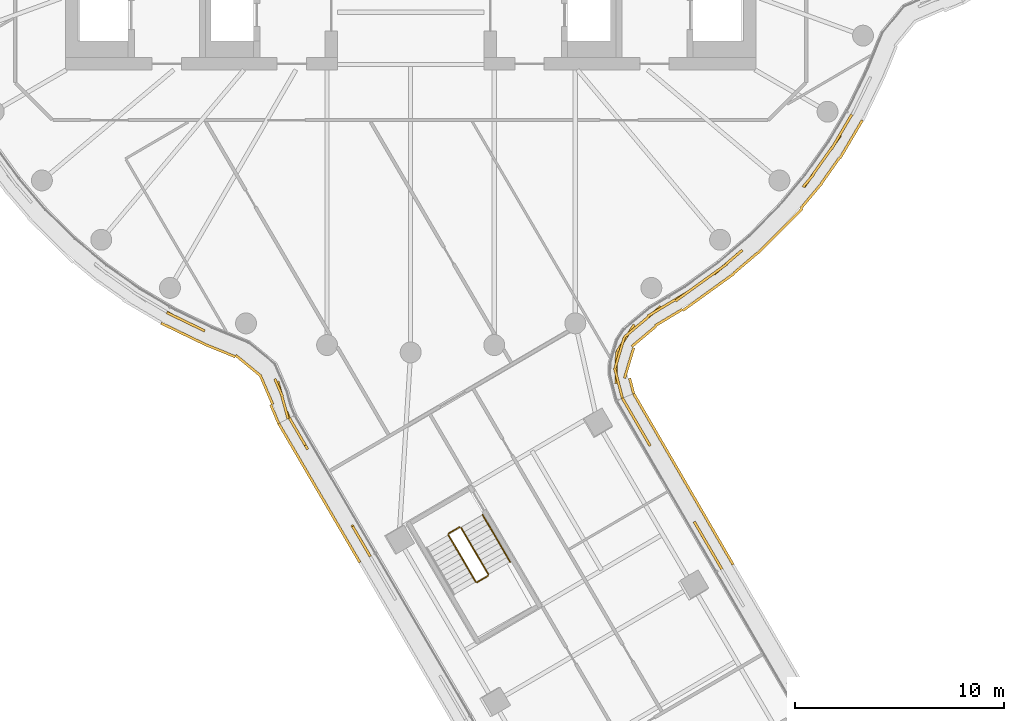
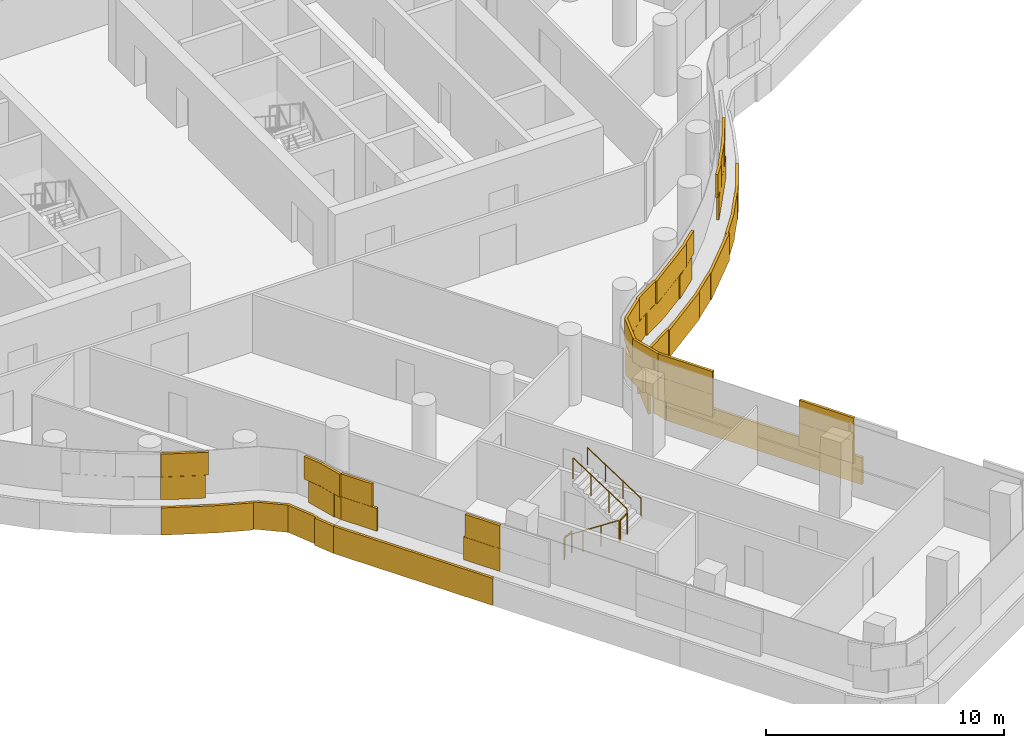
# One storey, part 28 of 35: 5 railings, 4 coverings.
"""IFC4 building model written with IfcOpenShell, lengths in metres."""

from ifc_helpers import new_model, si_unit, direction, frame, origin, origin_2d, place, context, subcontext, project, spatial, rectangle, circle, extrude, material, layer, layer_set, type_object, element, save


model = new_model("IFC4")

# Units and contexts
model_context = context("Model", 3, precision=1e-05, world=origin(), true_north=direction((0.0, 1.0)))
body_context = subcontext(model_context, "Body", "Model", "MODEL_VIEW")
ifc_project = project(units=[si_unit("LENGTHUNIT", "METRE"), si_unit("AREAUNIT", "SQUARE_METRE"), si_unit("VOLUMEUNIT", "CUBIC_METRE"), si_unit("PLANEANGLEUNIT", "RADIAN"), si_unit("MASSUNIT", "GRAM", prefix="KILO")], contexts=[model_context])

# Site, building, storey
site_placement = place(None, origin())
site = spatial("IfcSite", under=ifc_project, at=site_placement, CompositionType="ELEMENT")
building_placement = place(site_placement, origin())
building = spatial("IfcBuilding", under=site, at=building_placement, Name="Tamarind Cross Interchange Tower", CompositionType="ELEMENT")
storey_placement = place(building_placement, frame((0.0, 0.0, 144.25)))
storey = spatial("IfcBuildingStorey", under=building, at=storey_placement, Name="L35", CompositionType="ELEMENT", Elevation=144.25)

# Railings
ifc_material_1 = material(Name="Stair guard")
railing_type_1 = type_object("IfcRailingType", Name="Stair guard", PredefinedType="GUARDRAIL", material=ifc_material_1)
railing_1_placement = place(storey_placement, frame((1.799560546875, -31.7197265625, 0.17041015625)))
element("IfcRailing", 1, at=railing_1_placement, inside=storey, type_object=railing_type_1, Name="L35 ST6 stair guard 1", PredefinedType="GUARDRAIL", context=body_context, shape_type="SweptSolid", body=[
    extrude(circle(Radius=0.02392578125, at=origin_2d()), frame((0.0, 0.0, 1.076171875), z_axis=(0.421927310507, -0.722058741879, 0.548277774421), x_axis=(0.863400629479, 0.504518932267, 0.0)), (0.0, 0.0, 1.0), 3.10888671875),
    extrude(circle(Radius=0.02099609375, at=origin_2d()), origin(), (0.0, 0.0, 1.0), 1.052001953125),
    extrude(circle(Radius=0.02099609375, at=origin_2d()), frame((0.437255859375, -0.748291015625, 0.568115234375)), (0.0, 0.0, 1.0), 1.052001953125),
    extrude(circle(Radius=0.02099609375, at=origin_2d()), frame((0.87451171875, -1.49658203125, 1.136474609375)), (0.0, 0.0, 1.0), 1.052001953125),
    extrude(circle(Radius=0.02099609375, at=origin_2d()), frame((1.311767578125, -2.244873046875, 1.70458984375)), (0.0, 0.0, 1.0), 1.052001953125),
])
railing_2_placement = place(storey_placement, frame((3.1796875, -33.982666015625, 1.875)))
element("IfcRailing", 2, at=railing_2_placement, inside=storey, type_object=railing_type_1, Name="L35 ST6 stair guard 2", PredefinedType="GUARDRAIL", context=body_context, shape_type="SweptSolid", body=[
    extrude(circle(Radius=0.02392578125, at=origin_2d()), frame((0.0, 0.0, 1.076171875), z_axis=(0.863394962472, 0.504528630285, 0.0), x_axis=(-0.504528630285, 0.863394962472, 0.0)), (0.0, 0.0, 1.0), 0.60009765625),
    extrude(circle(Radius=0.02099609375, at=origin_2d()), origin(), (0.0, 0.0, 1.0), 1.052001953125),
    extrude(circle(Radius=0.02099609375, at=origin_2d()), frame((0.51806640625, 0.302734375, 0.0)), (0.0, 0.0, 1.0), 1.052001953125),
])
railing_3_placement = place(storey_placement, frame((3.7158203125, -33.611572265625, 2.04541015625)))
element("IfcRailing", 3, at=railing_3_placement, inside=storey, type_object=railing_type_1, Name="L35 ST6 stair guard 3", PredefinedType="GUARDRAIL", context=body_context, shape_type="SweptSolid", body=[
    extrude(circle(Radius=0.02392578125, at=origin_2d()), frame((0.0, 0.0, 1.076171875), z_axis=(-0.421927310507, 0.722058741879, 0.548277774421), x_axis=(-0.863400629479, -0.504518932267, 0.0)), (0.0, 0.0, 1.0), 3.10888671875),
    extrude(circle(Radius=0.02099609375, at=origin_2d()), origin(), (0.0, 0.0, 1.0), 1.052001953125),
    extrude(circle(Radius=0.02099609375, at=origin_2d()), frame((-0.437255859375, 0.748291015625, 0.568115234375)), (0.0, 0.0, 1.0), 1.052001953125),
    extrude(circle(Radius=0.02099609375, at=origin_2d()), frame((-0.87451171875, 1.49658203125, 1.136474609375)), (0.0, 0.0, 1.0), 1.052001953125),
    extrude(circle(Radius=0.02099609375, at=origin_2d()), frame((-1.311767578125, 2.244873046875, 1.70458984375)), (0.0, 0.0, 1.0), 1.052001953125),
])
railing_4_placement = place(storey_placement, frame((1.817626953125, -31.6513671875, 0.0)))
element("IfcRailing", 4, at=railing_4_placement, inside=storey, type_object=railing_type_1, Name="L35 ST6 stair guard 4", PredefinedType="GUARDRAIL", context=body_context, shape_type="SweptSolid", body=[
    extrude(circle(Radius=0.02392578125, at=origin_2d()), frame((0.0, 0.0, 1.076171875), z_axis=(0.863394962472, 0.504528630285, 0.0), x_axis=(-0.504528630285, 0.863394962472, 0.0)), (0.0, 0.0, 1.0), 0.60009765625),
    extrude(circle(Radius=0.02099609375, at=origin_2d()), origin(), (0.0, 0.0, 1.0), 1.052001953125),
    extrude(circle(Radius=0.02099609375, at=origin_2d()), frame((0.51806640625, 0.302734375, 0.0)), (0.0, 0.0, 1.0), 1.052001953125),
])
ifc_material_2 = material(Name="Stair handrail")
railing_type_2 = type_object("IfcRailingType", Name="Stair handrail", PredefinedType="HANDRAIL", material=ifc_material_2)
railing_5_placement = place(storey_placement, frame((4.751708984375, -33.006103515625, 2.04541015625)))
element("IfcRailing", 5, at=railing_5_placement, inside=storey, type_object=railing_type_2, Name="L35 ST6 stair handrail 2", PredefinedType="HANDRAIL", context=body_context, shape_type="SweptSolid", body=[
    extrude(circle(Radius=0.02392578125, at=origin_2d()), frame((0.0, 0.0, 0.8759765625), z_axis=(-0.421927310507, 0.722058741879, 0.548277774421), x_axis=(-0.863400629479, -0.504518932267, 0.0)), (0.0, 0.0, 1.0), 3.10888671875),
    extrude(circle(Radius=0.02099609375, at=origin_2d()), origin(), (0.0, 0.0, 1.0), 0.851806640625),
    extrude(circle(Radius=0.02099609375, at=origin_2d()), frame((-0.437255859375, 0.748291015625, 0.568115234375)), (0.0, 0.0, 1.0), 0.851806640625),
    extrude(circle(Radius=0.02099609375, at=origin_2d()), frame((-0.87451171875, 1.49658203125, 1.136474609375)), (0.0, 0.0, 1.0), 0.851806640625),
    extrude(circle(Radius=0.02099609375, at=origin_2d()), frame((-1.311767578125, 2.244873046875, 1.70458984375)), (0.0, 0.0, 1.0), 0.851806640625),
])

# Coverings
ifc_material_3 = material(Name="Terracotta", Category="masonry")
ifc_layer = layer(ifc_material_3, 0.1201171875)
ifc_layer_set = layer_set([ifc_layer], Name="Terracotta")
covering_type = type_object("IfcCoveringType", Name="Terracotta baguette screen unit", PredefinedType="MOLDING", material=ifc_layer_set)
covering_1_placement = place(storey_placement, origin())
element("IfcCovering", 6, at=covering_1_placement, inside=storey, type_object=covering_type, Name="SCR-L35-02-01", PredefinedType="MOLDING", context=body_context, shape_type="SweptSolid", body=[
    extrude(rectangle(XDim=0.376708984375, YDim=0.1201171875, at=origin_2d()), frame((-11.475830078125, -21.171142578125, 1.404052734375), z_axis=(0.0, 0.0, 1.0), x_axis=(0.861248933065, -0.508183308752, 0.0)), (0.0, 0.0, 1.0), 1.1669921875),
    extrude(rectangle(XDim=1.52001953125, YDim=0.1201171875, at=origin_2d()), frame((-10.64013671875, -21.586181640625, 1.404052734375), z_axis=(0.0, 0.0, 1.0), x_axis=(0.900272776334, -0.435326231914, 0.0)), (0.0, 0.0, 1.0), 1.1669921875),
    extrude(rectangle(XDim=1.52001953125, YDim=0.1201171875, at=origin_2d()), frame((-6.14599609375, -25.112060546875, 1.404052734375), z_axis=(0.0, 0.0, 1.0), x_axis=(0.263859582177, -0.964561102727, 0.0)), (0.0, 0.0, 1.0), 1.1669921875),
    extrude(rectangle(XDim=0.349609375, YDim=0.1201171875, at=origin_2d()), frame((-5.858154296875, -25.983642578125, 1.404052734375), z_axis=(0.0, 0.0, 1.0), x_axis=(0.387502714777, -0.921868562237, 0.0)), (0.0, 0.0, 1.0), 1.1669921875),
    extrude(rectangle(XDim=1.126708984375, YDim=0.1201171875, at=origin_2d()), frame((-11.142822265625, -21.34326171875, 2.5791015625), z_axis=(0.0, 0.0, 1.0), x_axis=(0.900272776334, -0.435326231914, 0.0)), (0.0, 0.0, 1.0), 1.1669921875),
    extrude(rectangle(XDim=0.896484375, YDim=0.1201171875, at=origin_2d()), frame((-10.2412109375, -21.779296875, 2.5791015625), z_axis=(0.0, 0.0, 1.0), x_axis=(0.900272776334, -0.435326231914, 0.0)), (0.0, 0.0, 1.0), 1.1669921875),
    extrude(rectangle(XDim=0.92333984375, YDim=0.1201171875, at=origin_2d()), frame((-6.30859375, -24.686279296875, 2.5791015625), z_axis=(0.0, 0.0, 1.0), x_axis=(0.395961744904, -0.918267007233, 0.0)), (0.0, 0.0, 1.0), 1.1669921875),
    extrude(rectangle(XDim=1.099609375, YDim=0.1201171875, at=origin_2d()), frame((-6.002197265625, -25.637451171875, 2.5791015625), z_axis=(0.0, 0.0, 1.0), x_axis=(0.263859582177, -0.964561102727, 0.0)), (0.0, 0.0, 1.0), 1.1669921875),
    extrude(rectangle(XDim=0.895263671875, YDim=0.1201171875, at=origin_2d()), frame((-11.520263671875, -21.79833984375, 0.00390625), z_axis=(0.0, 0.0, 1.0), x_axis=(0.900272776334, -0.435326231914, 0.0)), (0.0, 0.0, 1.0), 1.39208984375),
    extrude(rectangle(XDim=1.52001953125, YDim=0.1201171875, at=origin_2d()), frame((-10.451171875, -22.315185546875, 0.00390625), z_axis=(0.0, 0.0, 1.0), x_axis=(0.900272776334, -0.435326231914, 0.0)), (0.0, 0.0, 1.0), 1.39208984375),
    extrude(rectangle(XDim=1.52001953125, YDim=0.1201171875, at=origin_2d()), frame((-9.08056640625, -22.9228515625, 0.00390625), z_axis=(0.0, 0.0, 1.0), x_axis=(0.925762633529, -0.378105205414, 0.0)), (0.0, 0.0, 1.0), 1.39208984375),
    extrude(rectangle(XDim=1.52001953125, YDim=0.1201171875, at=origin_2d()), frame((-7.771240234375, -23.623046875, 0.00390625), z_axis=(0.0, 0.0, 1.0), x_axis=(0.772208622298, -0.635369060979, 0.0)), (0.0, 0.0, 1.0), 1.39208984375),
    extrude(rectangle(XDim=1.52001953125, YDim=0.1201171875, at=origin_2d()), frame((-6.89111328125, -24.78515625, 0.00390625), z_axis=(0.0, 0.0, 1.0), x_axis=(0.395961744904, -0.918267007233, 0.0)), (0.0, 0.0, 1.0), 1.39208984375),
    extrude(rectangle(XDim=0.978515625, YDim=0.1201171875, at=origin_2d()), frame((-6.49658203125, -25.9462890625, 0.00390625), z_axis=(0.0, 0.0, 1.0), x_axis=(0.387502714777, -0.921868562237, 0.0)), (0.0, 0.0, 1.0), 1.39208984375),
])
covering_2_placement = place(storey_placement, origin())
element("IfcCovering", 7, at=covering_2_placement, inside=storey, type_object=covering_type, Name="SCR-L35-03-00", PredefinedType="MOLDING", context=body_context, shape_type="SweptSolid", body=[
    extrude(rectangle(XDim=0.760009765625, YDim=0.1201171875, at=origin_2d()), frame((-5.603271484375, -26.464111328125, 1.404052734375), z_axis=(0.0, 0.0, 1.0), x_axis=(0.50451556849, -0.863402595057, 0.0)), (0.0, 0.0, 1.0), 1.1669921875),
    extrude(rectangle(XDim=0.983642578125, YDim=0.1201171875, at=origin_2d()), frame((-5.16845703125, -27.208251953125, 1.404052734375), z_axis=(0.0, 0.0, 1.0), x_axis=(0.50451556849, -0.863402595057, 0.0)), (0.0, 0.0, 1.0), 1.1669921875),
    extrude(rectangle(XDim=0.83642578125, YDim=0.1201171875, at=origin_2d()), frame((-2.595458984375, -31.611572265625, 1.404052734375), z_axis=(0.0, 0.0, 1.0), x_axis=(0.50451556849, -0.863402595057, 0.0)), (0.0, 0.0, 1.0), 1.1669921875),
    extrude(rectangle(XDim=0.9072265625, YDim=0.1201171875, at=origin_2d()), frame((-2.16064453125, -32.35546875, 1.404052734375), z_axis=(0.0, 0.0, 1.0), x_axis=(0.50451556849, -0.863402595057, 0.0)), (0.0, 0.0, 1.0), 1.1669921875),
    extrude(rectangle(XDim=1.510009765625, YDim=0.1201171875, at=origin_2d()), frame((-5.4140625, -26.787841796875, 2.5791015625), z_axis=(0.0, 0.0, 1.0), x_axis=(0.50451556849, -0.863402595057, 0.0)), (0.0, 0.0, 1.0), 1.1669921875),
    extrude(rectangle(XDim=1.52001953125, YDim=0.1201171875, at=origin_2d()), frame((-2.386962890625, -31.96826171875, 2.5791015625), z_axis=(0.0, 0.0, 1.0), x_axis=(0.50451556849, -0.863402595057, 0.0)), (0.0, 0.0, 1.0), 1.1669921875),
    extrude(rectangle(XDim=0.1572265625, YDim=0.1201171875, at=origin_2d()), frame((-1.971435546875, -32.679443359375, 2.5791015625), z_axis=(0.0, 0.0, 1.0), x_axis=(0.50451556849, -0.863402595057, 0.0)), (0.0, 0.0, 1.0), 1.1669921875),
    extrude(rectangle(XDim=0.760009765625, YDim=0.1201171875, at=origin_2d()), frame((-6.115234375, -26.7255859375, 0.00390625), z_axis=(0.0, 0.0, 1.0), x_axis=(0.50451556849, -0.863402595057, 0.0)), (0.0, 0.0, 1.0), 1.39208984375),
    extrude(rectangle(XDim=1.52001953125, YDim=0.1201171875, at=origin_2d()), frame((-5.55029296875, -27.6923828125, 0.00390625), z_axis=(0.0, 0.0, 1.0), x_axis=(0.50451556849, -0.863402595057, 0.0)), (0.0, 0.0, 1.0), 1.39208984375),
    extrude(rectangle(XDim=1.52001953125, YDim=0.1201171875, at=origin_2d()), frame((-4.79345703125, -28.987548828125, 0.00390625), z_axis=(0.0, 0.0, 1.0), x_axis=(0.50451556849, -0.863402595057, 0.0)), (0.0, 0.0, 1.0), 1.39208984375),
    extrude(rectangle(XDim=1.52001953125, YDim=0.1201171875, at=origin_2d()), frame((-4.03662109375, -30.28271484375, 0.00390625), z_axis=(0.0, 0.0, 1.0), x_axis=(0.50451556849, -0.863402595057, 0.0)), (0.0, 0.0, 1.0), 1.39208984375),
    extrude(rectangle(XDim=1.52001953125, YDim=0.1201171875, at=origin_2d()), frame((-3.27978515625, -31.577880859375, 0.00390625), z_axis=(0.0, 0.0, 1.0), x_axis=(0.50451556849, -0.863402595057, 0.0)), (0.0, 0.0, 1.0), 1.39208984375),
    extrude(rectangle(XDim=0.94189453125, YDim=0.1201171875, at=origin_2d()), frame((-2.6689453125, -32.623291015625, 0.00390625), z_axis=(0.0, 0.0, 1.0), x_axis=(0.50451556849, -0.863402595057, 0.0)), (0.0, 0.0, 1.0), 1.39208984375),
])
covering_3_placement = place(storey_placement, origin())
element("IfcCovering", 8, at=covering_3_placement, inside=storey, type_object=covering_type, Name="SCR-L35-05-01", PredefinedType="MOLDING", context=body_context, shape_type="SweptSolid", body=[
    extrude(rectangle(XDim=1.446044921875, YDim=0.1201171875, at=origin_2d()), frame((14.509765625, -32.740966796875, 1.404052734375), z_axis=(0.0, 0.0, 1.0), x_axis=(-0.502708433946, 0.864456031525, 0.0)), (0.0, 0.0, 1.0), 1.1669921875),
    extrude(rectangle(XDim=1.201416015625, YDim=0.1201171875, at=origin_2d()), frame((13.849365234375, -31.60546875, 1.404052734375), z_axis=(0.0, 0.0, 1.0), x_axis=(-0.502708433946, 0.864456031525, 0.0)), (0.0, 0.0, 1.0), 1.1669921875),
    extrude(rectangle(XDim=0.61865234375, YDim=0.1201171875, at=origin_2d()), frame((11.28564453125, -27.19677734375, 1.404052734375), z_axis=(0.0, 0.0, 1.0), x_axis=(-0.502708433946, 0.864456031525, 0.0)), (0.0, 0.0, 1.0), 1.1669921875),
    extrude(rectangle(XDim=1.52001953125, YDim=0.1201171875, at=origin_2d()), frame((10.755615234375, -26.28515625, 1.404052734375), z_axis=(0.0, 0.0, 1.0), x_axis=(-0.502708433946, 0.864456031525, 0.0)), (0.0, 0.0, 1.0), 1.1669921875),
    extrude(rectangle(XDim=0.528564453125, YDim=0.1201171875, at=origin_2d()), frame((10.248291015625, -25.41259765625, 1.404052734375), z_axis=(0.0, 0.0, 1.0), x_axis=(-0.502708433946, 0.864456031525, 0.0)), (0.0, 0.0, 1.0), 1.1669921875),
    extrude(rectangle(XDim=0.696044921875, YDim=0.1201171875, at=origin_2d()), frame((14.698486328125, -33.065185546875, 2.5791015625), z_axis=(0.0, 0.0, 1.0), x_axis=(-0.502708433946, 0.864456031525, 0.0)), (0.0, 0.0, 1.0), 1.1669921875),
    extrude(rectangle(XDim=1.52001953125, YDim=0.1201171875, at=origin_2d()), frame((14.14892578125, -32.120361328125, 2.5791015625), z_axis=(0.0, 0.0, 1.0), x_axis=(-0.502708433946, 0.864456031525, 0.0)), (0.0, 0.0, 1.0), 1.1669921875),
    extrude(rectangle(XDim=0.451416015625, YDim=0.1201171875, at=origin_2d()), frame((13.660888671875, -31.28125, 2.5791015625), z_axis=(0.0, 0.0, 1.0), x_axis=(-0.502708433946, 0.864456031525, 0.0)), (0.0, 0.0, 1.0), 1.1669921875),
    extrude(rectangle(XDim=1.36865234375, YDim=0.1201171875, at=origin_2d()), frame((11.09716796875, -26.87255859375, 2.5791015625), z_axis=(0.0, 0.0, 1.0), x_axis=(-0.502708433946, 0.864456031525, 0.0)), (0.0, 0.0, 1.0), 1.1669921875),
    extrude(rectangle(XDim=1.278564453125, YDim=0.1201171875, at=origin_2d()), frame((10.436767578125, -25.73681640625, 2.5791015625), z_axis=(0.0, 0.0, 1.0), x_axis=(-0.502708433946, 0.864456031525, 0.0)), (0.0, 0.0, 1.0), 1.1669921875),
    extrude(rectangle(XDim=1.44775390625, YDim=0.1201171875, at=origin_2d()), frame((15.041748046875, -32.513671875, 0.00390625), z_axis=(0.0, 0.0, 1.0), x_axis=(-0.502708433946, 0.864456031525, 0.0)), (0.0, 0.0, 1.0), 1.39208984375),
    extrude(rectangle(XDim=1.52001953125, YDim=0.1201171875, at=origin_2d()), frame((14.3056640625, -31.248291015625, 0.00390625), z_axis=(0.0, 0.0, 1.0), x_axis=(-0.502708433946, 0.864456031525, 0.0)), (0.0, 0.0, 1.0), 1.39208984375),
    extrude(rectangle(XDim=1.52001953125, YDim=0.1201171875, at=origin_2d()), frame((13.5517578125, -29.951416015625, 0.00390625), z_axis=(0.0, 0.0, 1.0), x_axis=(-0.502708433946, 0.864456031525, 0.0)), (0.0, 0.0, 1.0), 1.39208984375),
    extrude(rectangle(XDim=1.52001953125, YDim=0.1201171875, at=origin_2d()), frame((12.797607421875, -28.65478515625, 0.00390625), z_axis=(0.0, 0.0, 1.0), x_axis=(-0.502708433946, 0.864456031525, 0.0)), (0.0, 0.0, 1.0), 1.39208984375),
    extrude(rectangle(XDim=1.52001953125, YDim=0.1201171875, at=origin_2d()), frame((12.043701171875, -27.358154296875, 0.00390625), z_axis=(0.0, 0.0, 1.0), x_axis=(-0.502708433946, 0.864456031525, 0.0)), (0.0, 0.0, 1.0), 1.39208984375),
    extrude(rectangle(XDim=1.52001953125, YDim=0.1201171875, at=origin_2d()), frame((11.28955078125, -26.0615234375, 0.00390625), z_axis=(0.0, 0.0, 1.0), x_axis=(-0.502708433946, 0.864456031525, 0.0)), (0.0, 0.0, 1.0), 1.39208984375),
    extrude(rectangle(XDim=0.525146484375, YDim=0.1201171875, at=origin_2d()), frame((10.78564453125, -25.19482421875, 0.00390625), z_axis=(0.0, 0.0, 1.0), x_axis=(-0.502708433946, 0.864456031525, 0.0)), (0.0, 0.0, 1.0), 1.39208984375),
])
covering_4_placement = place(storey_placement, origin())
element("IfcCovering", 9, at=covering_4_placement, inside=storey, type_object=covering_type, Name="SCR-L35-06-00", PredefinedType="MOLDING", context=body_context, shape_type="SweptSolid", body=[
    extrude(rectangle(XDim=0.760009765625, YDim=0.1201171875, at=origin_2d()), frame((10.0234375, -24.82568359375, 1.404052734375), z_axis=(0.0, 0.0, 1.0), x_axis=(-0.251924755788, 0.967746825064, 0.0)), (0.0, 0.0, 1.0), 1.1669921875),
    extrude(rectangle(XDim=1.52001953125, YDim=0.1201171875, at=origin_2d()), frame((9.8251953125, -23.726806640625, 1.404052734375), z_axis=(0.0, 0.0, 1.0), x_axis=(0.019482275841, 0.999810202452, 0.0)), (0.0, 0.0, 1.0), 1.1669921875),
    extrude(rectangle(XDim=1.52001953125, YDim=0.1201171875, at=origin_2d()), frame((10.271728515625, -22.3125, 1.404052734375), z_axis=(0.0, 0.0, 1.0), x_axis=(0.537768291418, 0.843092678622, 0.0)), (0.0, 0.0, 1.0), 1.1669921875),
    extrude(rectangle(XDim=1.52001953125, YDim=0.1201171875, at=origin_2d()), frame((11.3642578125, -21.298583984375, 1.404052734375), z_axis=(0.0, 0.0, 1.0), x_axis=(0.765691731363, 0.643207721131, 0.0)), (0.0, 0.0, 1.0), 1.1669921875),
    extrude(rectangle(XDim=1.52001953125, YDim=0.1201171875, at=origin_2d()), frame((12.624267578125, -20.489990234375, 1.404052734375), z_axis=(0.0, 0.0, 1.0), x_axis=(0.856828084362, 0.515602205046, 0.0)), (0.0, 0.0, 1.0), 1.1669921875),
    extrude(rectangle(XDim=1.52001953125, YDim=0.1201171875, at=origin_2d()), frame((13.875, -19.664306640625, 1.404052734375), z_axis=(0.0, 0.0, 1.0), x_axis=(0.811340475102, 0.584573890505, 0.0)), (0.0, 0.0, 1.0), 1.1669921875),
    extrude(rectangle(XDim=1.52001953125, YDim=0.1201171875, at=origin_2d()), frame((15.078369140625, -18.77001953125, 1.404052734375), z_axis=(0.0, 0.0, 1.0), x_axis=(0.760295606781, 0.64957723968, 0.0)), (0.0, 0.0, 1.0), 1.1669921875),
    extrude(rectangle(XDim=1.52001953125, YDim=0.1201171875, at=origin_2d()), frame((19.240966796875, -14.471435546875, 1.404052734375), z_axis=(0.0, 0.0, 1.0), x_axis=(0.577568978284, 0.816341886298, 0.0)), (0.0, 0.0, 1.0), 1.1669921875),
    extrude(rectangle(XDim=1.52001953125, YDim=0.1201171875, at=origin_2d()), frame((20.107421875, -13.246826171875, 1.404052734375), z_axis=(0.0, 0.0, 1.0), x_axis=(0.577568978284, 0.816341886298, 0.0)), (0.0, 0.0, 1.0), 1.1669921875),
    extrude(rectangle(XDim=1.143310546875, YDim=0.1201171875, at=origin_2d()), frame((20.7900390625, -12.121826171875, 1.404052734375), z_axis=(0.0, 0.0, 1.0), x_axis=(0.508183308752, 0.861248933065, 0.0)), (0.0, 0.0, 1.0), 1.1669921875),
    extrude(rectangle(XDim=1.510009765625, YDim=0.1201171875, at=origin_2d()), frame((9.928955078125, -24.462646484375, 2.5791015625), z_axis=(0.0, 0.0, 1.0), x_axis=(-0.251924755788, 0.967746825064, 0.0)), (0.0, 0.0, 1.0), 1.1669921875),
    extrude(rectangle(XDim=1.52001953125, YDim=0.1201171875, at=origin_2d()), frame((9.990234375, -23.000732421875, 2.5791015625), z_axis=(0.0, 0.0, 1.0), x_axis=(0.28943417948, 0.957197918797, 0.0)), (0.0, 0.0, 1.0), 1.1669921875),
    extrude(rectangle(XDim=1.52001953125, YDim=0.1201171875, at=origin_2d()), frame((10.7900390625, -21.781005859375, 2.5791015625), z_axis=(0.0, 0.0, 1.0), x_axis=(0.765691731363, 0.643207721131, 0.0)), (0.0, 0.0, 1.0), 1.1669921875),
    extrude(rectangle(XDim=1.52001953125, YDim=0.1201171875, at=origin_2d()), frame((11.981689453125, -20.876708984375, 2.5791015625), z_axis=(0.0, 0.0, 1.0), x_axis=(0.856828084362, 0.515602205046, 0.0)), (0.0, 0.0, 1.0), 1.1669921875),
    extrude(rectangle(XDim=1.52001953125, YDim=0.1201171875, at=origin_2d()), frame((13.2666015625, -20.102783203125, 2.5791015625), z_axis=(0.0, 0.0, 1.0), x_axis=(0.811340475102, 0.584573890505, 0.0)), (0.0, 0.0, 1.0), 1.1669921875),
    extrude(rectangle(XDim=1.52001953125, YDim=0.1201171875, at=origin_2d()), frame((14.483642578125, -19.225830078125, 2.5791015625), z_axis=(0.0, 0.0, 1.0), x_axis=(0.811340475102, 0.584573890505, 0.0)), (0.0, 0.0, 1.0), 1.1669921875),
    extrude(rectangle(XDim=1.01708984375, YDim=0.1201171875, at=origin_2d()), frame((15.46142578125, -18.443115234375, 2.5791015625), z_axis=(0.0, 0.0, 1.0), x_axis=(0.760295606781, 0.64957723968, 0.0)), (0.0, 0.0, 1.0), 1.1669921875),
    extrude(rectangle(XDim=0.802978515625, YDim=0.1201171875, at=origin_2d()), frame((19.00537109375, -14.7900390625, 2.5791015625), z_axis=(0.0, 0.0, 1.0), x_axis=(0.643009266048, 0.765858396687, 0.0)), (0.0, 0.0, 1.0), 1.1669921875),
    extrude(rectangle(XDim=1.52001953125, YDim=0.1201171875, at=origin_2d()), frame((19.674072265625, -13.859130859375, 2.5791015625), z_axis=(0.0, 0.0, 1.0), x_axis=(0.577568978284, 0.816341886298, 0.0)), (0.0, 0.0, 1.0), 1.1669921875),
    extrude(rectangle(XDim=1.52001953125, YDim=0.1201171875, at=origin_2d()), frame((20.501953125, -12.60986328125, 2.5791015625), z_axis=(0.0, 0.0, 1.0), x_axis=(0.508183308752, 0.861248933065, 0.0)), (0.0, 0.0, 1.0), 1.1669921875),
    extrude(rectangle(XDim=0.393310546875, YDim=0.1201171875, at=origin_2d()), frame((20.980712890625, -11.798828125, 2.5791015625), z_axis=(0.0, 0.0, 1.0), x_axis=(0.508183308752, 0.861248933065, 0.0)), (0.0, 0.0, 1.0), 1.1669921875),
    extrude(rectangle(XDim=0.760009765625, YDim=0.1201171875, at=origin_2d()), frame((10.557861328125, -24.60009765625, 0.00390625), z_axis=(0.0, 0.0, 1.0), x_axis=(-0.251924755788, 0.967746825064, 0.0)), (0.0, 0.0, 1.0), 1.39208984375),
    extrude(rectangle(XDim=1.52001953125, YDim=0.1201171875, at=origin_2d()), frame((10.436767578125, -23.50634765625, 0.00390625), z_axis=(0.0, 0.0, 1.0), x_axis=(0.28943417948, 0.957197918797, 0.0)), (0.0, 0.0, 1.0), 1.39208984375),
    extrude(rectangle(XDim=1.52001953125, YDim=0.1201171875, at=origin_2d()), frame((11.1435546875, -22.233642578125, 0.00390625), z_axis=(0.0, 0.0, 1.0), x_axis=(0.765691731363, 0.643207721131, 0.0)), (0.0, 0.0, 1.0), 1.39208984375),
    extrude(rectangle(XDim=1.52001953125, YDim=0.1201171875, at=origin_2d()), frame((12.337646484375, -21.33251953125, 0.00390625), z_axis=(0.0, 0.0, 1.0), x_axis=(0.856828084362, 0.515602205046, 0.0)), (0.0, 0.0, 1.0), 1.39208984375),
    extrude(rectangle(XDim=1.52001953125, YDim=0.1201171875, at=origin_2d()), frame((13.620361328125, -20.55517578125, 0.00390625), z_axis=(0.0, 0.0, 1.0), x_axis=(0.811340475102, 0.584573890505, 0.0)), (0.0, 0.0, 1.0), 1.39208984375),
    extrude(rectangle(XDim=1.52001953125, YDim=0.1201171875, at=origin_2d()), frame((14.83740234375, -19.678466796875, 0.00390625), z_axis=(0.0, 0.0, 1.0), x_axis=(0.811340475102, 0.584573890505, 0.0)), (0.0, 0.0, 1.0), 1.39208984375),
    extrude(rectangle(XDim=1.52001953125, YDim=0.1201171875, at=origin_2d()), frame((16.00244140625, -18.735595703125, 0.00390625), z_axis=(0.0, 0.0, 1.0), x_axis=(0.760295606781, 0.64957723968, 0.0)), (0.0, 0.0, 1.0), 1.39208984375),
    extrude(rectangle(XDim=1.52001953125, YDim=0.1201171875, at=origin_2d()), frame((17.1162109375, -17.732177734375, 0.00390625), z_axis=(0.0, 0.0, 1.0), x_axis=(0.704057148523, 0.710143317658, 0.0)), (0.0, 0.0, 1.0), 1.39208984375),
    extrude(rectangle(XDim=1.52001953125, YDim=0.1201171875, at=origin_2d()), frame((18.172119140625, -16.6669921875, 0.00390625), z_axis=(0.0, 0.0, 1.0), x_axis=(0.704057148523, 0.710143317658, 0.0)), (0.0, 0.0, 1.0), 1.39208984375),
    extrude(rectangle(XDim=1.52001953125, YDim=0.1201171875, at=origin_2d()), frame((19.140380859375, -15.521728515625, 0.00390625), z_axis=(0.0, 0.0, 1.0), x_axis=(0.643009266048, 0.765858396687, 0.0)), (0.0, 0.0, 1.0), 1.39208984375),
    extrude(rectangle(XDim=1.52001953125, YDim=0.1201171875, at=origin_2d()), frame((20.0458984375, -14.327392578125, 0.00390625), z_axis=(0.0, 0.0, 1.0), x_axis=(0.577568978284, 0.816341886298, 0.0)), (0.0, 0.0, 1.0), 1.39208984375),
    extrude(rectangle(XDim=1.52001953125, YDim=0.1201171875, at=origin_2d()), frame((20.88720703125, -13.086669921875, 0.00390625), z_axis=(0.0, 0.0, 1.0), x_axis=(0.508183308752, 0.861248933065, 0.0)), (0.0, 0.0, 1.0), 1.39208984375),
    extrude(rectangle(XDim=0.624755859375, YDim=0.1201171875, at=origin_2d()), frame((21.422119140625, -12.18017578125, 0.00390625), z_axis=(0.0, 0.0, 1.0), x_axis=(0.508183308752, 0.861248933065, 0.0)), (0.0, 0.0, 1.0), 1.39208984375),
])

save(model, "model.ifc")
